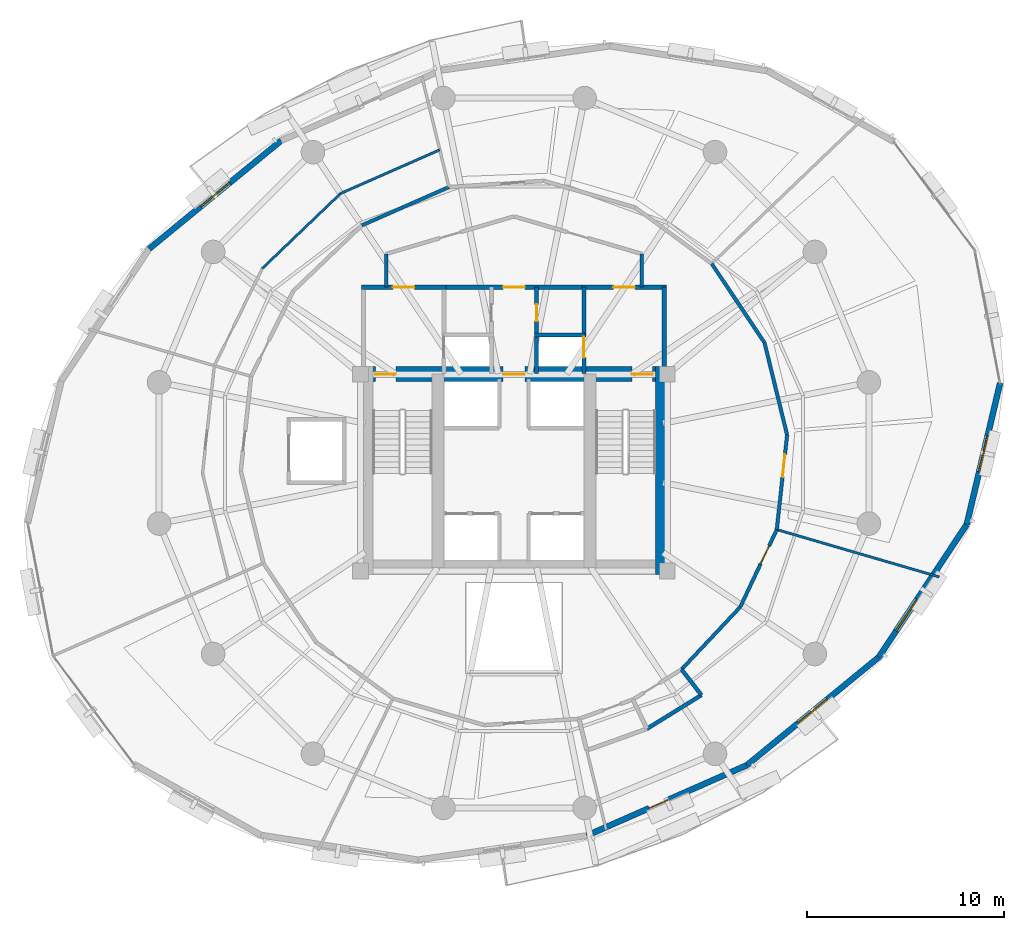
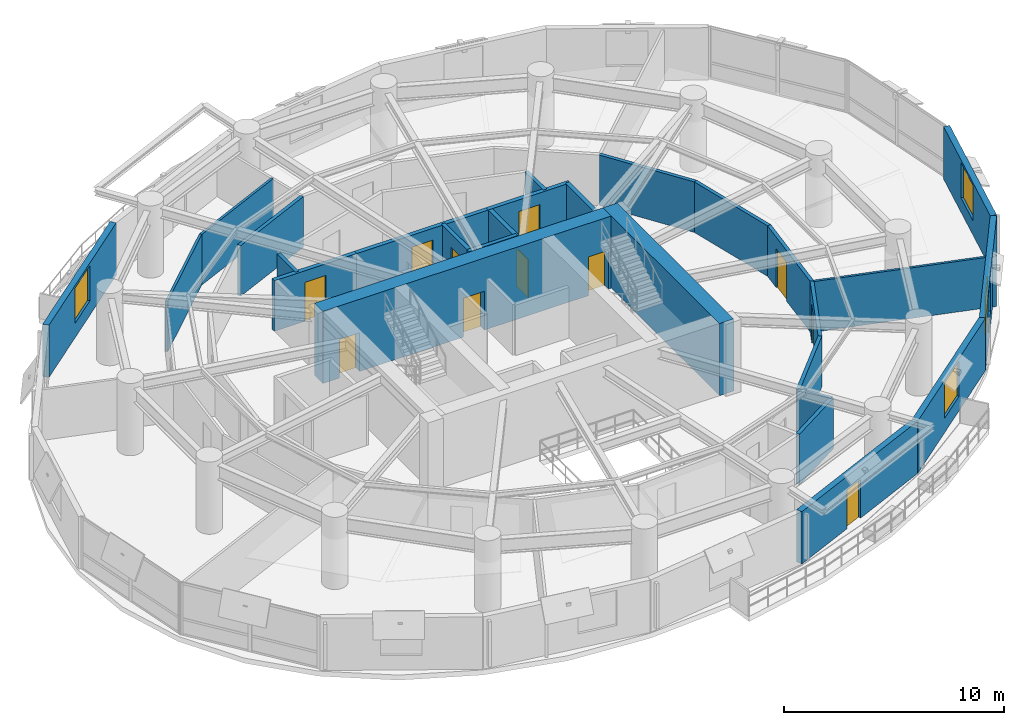
# One storey, part 11 of 14: 27 walls, 11 doors, 4 windows, 15 openings.
"""IFC4 building model written with IfcOpenShell, lengths in metres."""

from ifc_helpers import new_model, si_unit, direction, frame, frame_2d, origin, place, context, subcontext, project, spatial, rectangle, extrude, material, layer, layer_set, type_object, element, fill, save


model = new_model("IFC4")

# Units and contexts
model_context = context("Model", 3, precision=1e-05, world=origin(), true_north=direction((0.0, 1.0)))
body_context = subcontext(model_context, "Body", "Model", "MODEL_VIEW")
ifc_project = project(units=[si_unit("LENGTHUNIT", "METRE"), si_unit("AREAUNIT", "SQUARE_METRE"), si_unit("VOLUMEUNIT", "CUBIC_METRE"), si_unit("PLANEANGLEUNIT", "RADIAN"), si_unit("MASSUNIT", "GRAM", prefix="KILO"), si_unit("THERMODYNAMICTEMPERATUREUNIT", "KELVIN"), si_unit("POWERUNIT", "WATT")], contexts=[model_context])

# Site, building, storey
site_placement = place(None, origin())
site = spatial("IfcSite", under=ifc_project, at=site_placement, CompositionType="ELEMENT")
building_placement = place(site_placement, origin())
building = spatial("IfcBuilding", under=site, at=building_placement, Name="Ocrelia Relay Tower", CompositionType="ELEMENT")
storey_placement = place(building_placement, frame((0.0, 0.0, 133.800048828125)))
storey = spatial("IfcBuildingStorey", under=building, at=storey_placement, Name="L31", CompositionType="ELEMENT", Elevation=133.800048828125)

# Wall, openings, doors
ifc_material_1 = material(Name="Concrete C60/75", Category="concrete")
ifc_layer_1 = layer(ifc_material_1, 0.75, Name="Concrete C60/75")
ifc_layer_set_1 = layer_set([ifc_layer_1], Name="Concrete C60/75")
wall_type_1 = type_object("IfcWallType", Name="CW-CORE-750", PredefinedType="SHEAR", material=ifc_layer_set_1)
wall_1_placement = place(storey_placement, frame((26.072021484375, 30.012939453125, 0.0), z_axis=(0.0, 0.0, 1.0), x_axis=(1.0, 0.0, 0.0)))
wall_1 = element("IfcWall", 1, at=wall_1_placement, inside=storey, type_object=wall_type_1, Name="L31 Core Shear Wall N", PredefinedType="SHEAR", context=body_context, shape_type="SweptSolid", body=[
    extrude(rectangle(XDim=15.865966796875, YDim=0.75, at=frame_2d((7.93310546875, 0.0))), origin(), (0.0, 0.0, 1.0), 4.0),
])
opening_1_placement = place(wall_1_placement, frame((0.8779296875, 0.0, 0.0)))
opening_1 = element("IfcOpeningElement", 2, at=opening_1_placement, cuts=wall_1, Name="Opening D-FD90", PredefinedType="OPENING", context=body_context, shape_type="SweptSolid", body=[
    extrude(rectangle(XDim=1.050048828125, YDim=2.14990234375, at=frame_2d((0.52490234375, 1.074951171875))), frame((0.0, 0.385009765625, 0.0), z_axis=(0.0, -1.0, 0.0), x_axis=(1.0, 0.0, 0.0)), (0.0, 0.0, 1.0), 0.77001953125),
])
opening_2_placement = place(wall_1_placement, frame((13.927978515625, 0.0, 0.0)))
opening_2 = element("IfcOpeningElement", 3, at=opening_2_placement, cuts=wall_1, Name="Opening D-FD90", PredefinedType="OPENING", context=body_context, shape_type="SweptSolid", body=[
    extrude(rectangle(XDim=1.050048828125, YDim=2.14990234375, at=frame_2d((0.52490234375, 1.074951171875))), frame((0.0, 0.385009765625, 0.0), z_axis=(0.0, -1.0, 0.0), x_axis=(1.0, 0.0, 0.0)), (0.0, 0.0, 1.0), 0.77001953125),
])
opening_3_placement = place(wall_1_placement, frame((7.3779296875, 0.0, 0.0)))
opening_3 = element("IfcOpeningElement", 4, at=opening_3_placement, cuts=wall_1, Name="Opening D-FD60", PredefinedType="OPENING", context=body_context, shape_type="SweptSolid", body=[
    extrude(rectangle(XDim=1.10009765625, YDim=2.14990234375, at=frame_2d((0.550048828125, 1.074951171875))), frame((0.0, 0.385009765625, 0.0), z_axis=(0.0, -1.0, 0.0), x_axis=(1.0, 0.0, 0.0)), (0.0, 0.0, 1.0), 0.77001953125),
])
ifc_material_2 = material(Name="Timber-core 60-min acoustic fire door", Category="wood")
door_type_1 = type_object("IfcDoorType", Name="DR-LOBBY-FD60-1100", OperationType="NOTDEFINED", PredefinedType="DOOR", material=ifc_material_2)
door_1_placement = place(opening_3_placement, origin())
door_1 = element("IfcDoor", 5, at=door_1_placement, inside=storey, type_object=door_type_1, Name="L31 Core Lift Lobby North Fire Door", OperationType="SINGLE_SWING_LEFT", OverallHeight=2.14990234375, OverallWidth=1.10009765625, PredefinedType="DOOR", context=body_context, shape_type="SweptSolid", body=[
    extrude(rectangle(XDim=1.10009765625, YDim=2.14990234375, at=frame_2d((0.550048828125, 1.074951171875))), frame((0.0, 0.02490234375, 0.0), z_axis=(0.0, -1.0, 0.0), x_axis=(1.0, 0.0, 0.0)), (0.0, 0.0, 1.0), 0.050048828125),
])
fill(opening_3, door_1)
ifc_material_3 = material(Name="Steel S355 90-min fire door", Category="steel")
door_type_2 = type_object("IfcDoorType", Name="DR-STAIR-FD90-1050", OperationType="NOTDEFINED", PredefinedType="DOOR", material=ifc_material_3)
door_2_placement = place(opening_1_placement, origin())
door_2 = element("IfcDoor", 6, at=door_2_placement, inside=storey, type_object=door_type_2, Name="L31 Stair ST1 Fire Door", OperationType="SINGLE_SWING_LEFT", OverallHeight=2.14990234375, OverallWidth=1.050048828125, PredefinedType="DOOR", context=body_context, shape_type="SweptSolid", body=[
    extrude(rectangle(XDim=1.050048828125, YDim=2.14990234375, at=frame_2d((0.52490234375, 1.074951171875))), frame((0.0, 0.02490234375, 0.0), z_axis=(0.0, -1.0, 0.0), x_axis=(1.0, 0.0, 0.0)), (0.0, 0.0, 1.0), 0.050048828125),
])
fill(opening_1, door_2)
door_3_placement = place(opening_2_placement, origin())
door_3 = element("IfcDoor", 7, at=door_3_placement, inside=storey, type_object=door_type_2, Name="L31 Stair ST2 Fire Door", OperationType="SINGLE_SWING_RIGHT", OverallHeight=2.14990234375, OverallWidth=1.050048828125, PredefinedType="DOOR", context=body_context, shape_type="SweptSolid", body=[
    extrude(rectangle(XDim=1.050048828125, YDim=2.14990234375, at=frame_2d((0.52490234375, 1.074951171875))), frame((0.0, 0.02490234375, 0.0), z_axis=(0.0, -1.0, 0.0), x_axis=(1.0, 0.0, 0.0)), (0.0, 0.0, 1.0), 0.050048828125),
])
fill(opening_2, door_3)

# Walls
wall_2_placement = place(storey_placement, frame((41.56298828125, 19.81201171875, 0.0), z_axis=(0.0, 0.0, 1.0), x_axis=(0.0, 1.0, 0.0)))
element("IfcWall", 8, at=wall_2_placement, inside=storey, type_object=wall_type_1, Name="L31 Core Shear Wall E", PredefinedType="SHEAR", context=body_context, shape_type="SweptSolid", body=[
    extrude(rectangle(XDim=10.575927734375, YDim=0.75, at=frame_2d((5.2880859375, 0.0))), origin(), (0.0, 0.0, 1.0), 4.0),
])
ifc_material_4 = material(Name="Gypsum Fireboard Partition EI60", Category="gypsum")
ifc_layer_2 = layer(ifc_material_4, 0.179931640625, Name="Gypsum Fireboard Partition EI60")
ifc_layer_set_2 = layer_set([ifc_layer_2], Name="Gypsum Fireboard Partition EI60")
wall_type_2 = type_object("IfcWallType", Name="W-CORR-EI60-180", PredefinedType="PARTITIONING", material=ifc_layer_set_2)
for number, where, z_axis, x_axis, name in (
    (9, (27.5, 34.429931640625, 0.0), (0.0, 0.0, 1.0), (0.0, 1.0, 0.0), "L31 Smoke Lobby West Return"),
    (10, (40.5, 36.122802734375, 0.0), (0.0, 0.0, 1.0), (0.0, -1.0, 0.0), "L31 Smoke Lobby East Return"),
):
    element("IfcWall", number, at=place(storey_placement, frame(where, z_axis=z_axis, x_axis=x_axis)), inside=storey, type_object=wall_type_2, Name=name, PredefinedType="PARTITIONING", context=body_context, shape_type="SweptSolid", body=[
        extrude(rectangle(XDim=1.69287109375, YDim=0.179931640625, at=frame_2d((0.846435546875, 0.0))), origin(), (0.0, 0.0, 1.0), 2.800048828125),
    ])
wall_3_placement = place(storey_placement, frame((42.522216796875, 14.99365234375, 0.0), z_axis=(0.0, 0.0, 1.0), x_axis=(0.68516532602, 0.728387586399, 0.0)))
element("IfcWall", 11, at=wall_3_placement, inside=storey, type_object=wall_type_2, Name="L31 Fiber Patch Store Corridor Partition 1", PredefinedType="PARTITIONING", context=body_context, shape_type="SweptSolid", body=[
    extrude(rectangle(XDim=4.35498046875, YDim=0.179931640625, at=frame_2d((2.177490234375, 0.0))), origin(), (0.0, 0.0, 1.0), 2.800048828125),
])

# Wall, opening, door
wall_4_placement = place(storey_placement, frame((45.506103515625, 18.165771484375, 0.0), z_axis=(0.0, 0.0, 1.0), x_axis=(0.426601371768, 0.904439754547, 0.0)))
wall_4 = element("IfcWall", 12, at=wall_4_placement, inside=storey, type_object=wall_type_2, Name="L31 Fiber Patch Store Corridor Partition 2", PredefinedType="PARTITIONING", context=body_context, shape_type="SweptSolid", body=[
    extrude(rectangle(XDim=4.355224609375, YDim=0.179931640625, at=frame_2d((2.177734375, 0.0))), origin(), (0.0, 0.0, 1.0), 2.800048828125),
])
opening_4_placement = place(wall_4_placement, frame((2.44140625, 0.0, 0.0)))
opening_4 = element("IfcOpeningElement", 13, at=opening_4_placement, cuts=wall_4, Name="Opening D-RM100", PredefinedType="OPENING", context=body_context, shape_type="SweptSolid", body=[
    extrude(rectangle(XDim=1.0, YDim=2.14990234375, at=frame_2d((0.5, 1.074951171875))), frame((0.0, 0.10009765625, 0.0), z_axis=(0.0, -1.0, 0.0), x_axis=(1.0, 0.0, 0.0)), (0.0, 0.0, 1.0), 0.199951171875),
])
ifc_material_5 = material(Name="Acoustic oak veneer fire door", Category="wood")
door_type_3 = type_object("IfcDoorType", Name="DR-ROOM-FD60-1000", OperationType="NOTDEFINED", PredefinedType="DOOR", material=ifc_material_5)
door_4_placement = place(opening_4_placement, origin())
door_4 = element("IfcDoor", 14, at=door_4_placement, inside=storey, type_object=door_type_3, Name="L31 Fiber Patch Store Entrance Door", OperationType="SINGLE_SWING_LEFT", OverallHeight=2.14990234375, OverallWidth=1.0, PredefinedType="DOOR", context=body_context, shape_type="SweptSolid", body=[
    extrude(rectangle(XDim=1.0, YDim=2.14990234375, at=frame_2d((0.5, 1.074951171875))), frame((0.0, 0.02490234375, 0.0), z_axis=(0.0, -1.0, 0.0), x_axis=(1.0, 0.0, 0.0)), (0.0, 0.0, 1.0), 0.050048828125),
])
fill(opening_4, door_4)

wall_5_placement = place(storey_placement, frame((47.364013671875, 22.104736328125, 0.0), z_axis=(0.0, 0.0, 1.0), x_axis=(0.108829517581, 0.994060428799, 0.0)))
wall_5 = element("IfcWall", 15, at=wall_5_placement, inside=storey, type_object=wall_type_2, Name="L31 Optical Switching Hall A Corridor Partition 1", PredefinedType="PARTITIONING", context=body_context, shape_type="SweptSolid", body=[
    extrude(rectangle(XDim=4.83447265625, YDim=0.179931640625, at=frame_2d((2.417236328125, 0.0))), origin(), (0.0, 0.0, 1.0), 2.800048828125),
])
opening_5_placement = place(wall_5_placement, frame((2.688232421875, 0.0, 0.0)))
opening_5 = element("IfcOpeningElement", 16, at=opening_5_placement, cuts=wall_5, Name="Opening D-RM115", PredefinedType="OPENING", context=body_context, shape_type="SweptSolid", body=[
    extrude(rectangle(XDim=1.14990234375, YDim=2.14990234375, at=frame_2d((0.574951171875, 1.074951171875))), frame((0.0, 0.10009765625, 0.0), z_axis=(0.0, -1.0, 0.0), x_axis=(1.0, 0.0, 0.0)), (0.0, 0.0, 1.0), 0.199951171875),
])
ifc_material_6 = material(Name="Wide acoustic oak veneer fire door", Category="wood")
door_type_4 = type_object("IfcDoorType", Name="DR-ROOM-1150", OperationType="NOTDEFINED", PredefinedType="DOOR", material=ifc_material_6)
door_5_placement = place(opening_5_placement, origin())
door_5 = element("IfcDoor", 17, at=door_5_placement, inside=storey, type_object=door_type_4, Name="L31 Optical Switching Hall A Entrance Door", OperationType="SINGLE_SWING_RIGHT", OverallHeight=2.14990234375, OverallWidth=1.14990234375, PredefinedType="DOOR", context=body_context, shape_type="SweptSolid", body=[
    extrude(rectangle(XDim=1.14990234375, YDim=2.14990234375, at=frame_2d((0.574951171875, 1.074951171875))), frame((0.0, 0.02490234375, 0.0), z_axis=(0.0, -1.0, 0.0), x_axis=(1.0, 0.0, 0.0)), (0.0, 0.0, 1.0), 0.050048828125),
])
fill(opening_5, door_5)

# Walls
wall_6_placement = place(storey_placement, frame((47.89013671875, 26.910400390625, 0.0), z_axis=(0.0, 0.0, 1.0), x_axis=(-0.237660645322, 0.971348247368, 0.0)))
element("IfcWall", 18, at=wall_6_placement, inside=storey, type_object=wall_type_2, Name="L31 Optical Switching Hall A Corridor Partition 2", PredefinedType="PARTITIONING", context=body_context, shape_type="SweptSolid", body=[
    extrude(rectangle(XDim=4.834228515625, YDim=0.179931640625, at=frame_2d((2.4169921875, 0.0))), origin(), (0.0, 0.0, 1.0), 2.800048828125),
])
wall_7_placement = place(storey_placement, frame((46.7412109375, 31.606201171875, 0.0), z_axis=(0.0, 0.0, 1.0), x_axis=(-0.555550637261, 0.831482705436, 0.0)))
element("IfcWall", 19, at=wall_7_placement, inside=storey, type_object=wall_type_2, Name="L31 Optical Switching Hall A Corridor Partition 3", PredefinedType="PARTITIONING", context=body_context, shape_type="SweptSolid", body=[
    extrude(rectangle(XDim=4.83447265625, YDim=0.179931640625, at=frame_2d((2.417236328125, 0.0))), origin(), (0.0, 0.0, 1.0), 2.800048828125),
])
wall_8_placement = place(storey_placement, frame((30.69140625, 39.52099609375, 0.0), z_axis=(0.0, 0.0, 1.0), x_axis=(-0.915325457772, -0.402714919459, 0.0)))
element("IfcWall", 20, at=wall_8_placement, inside=storey, type_object=wall_type_2, Name="L31 Equipment Staging Store Corridor Partition 1", PredefinedType="PARTITIONING", context=body_context, shape_type="SweptSolid", body=[
    extrude(rectangle(XDim=4.834228515625, YDim=0.179931640625, at=frame_2d((2.4169921875, 0.0))), origin(), (0.0, 0.0, 1.0), 2.800048828125),
])

# Wall, opening, window
ifc_material_7 = material(Name="Precast concrete C40/50 with oxide terracotta", Category="masonry")
ifc_layer_3 = layer(ifc_material_7, 0.300048828125, Name="Precast concrete C40/50 with oxide terracotta")
ifc_layer_set_3 = layer_set([ifc_layer_3], Name="Precast concrete C40/50 with oxide terracotta")
wall_type_3 = type_object("IfcWallType", Name="W-EXT-TERR-300", PredefinedType="SOLIDWALL", material=ifc_layer_set_3)
wall_9_placement = place(storey_placement, frame((22.1572265625, 41.877197265625, 0.0), z_axis=(0.0, 0.0, 1.0), x_axis=(-0.773602244152, -0.633671498367, 0.0)))
wall_9 = element("IfcWall", 21, at=wall_9_placement, inside=storey, type_object=wall_type_3, Name="L31 Oxide Terracotta Facade Wall 06", PredefinedType="SOLIDWALL", context=body_context, shape_type="SweptSolid", body=[
    extrude(rectangle(XDim=8.673095703125, YDim=0.300048828125, at=frame_2d((4.33642578125, 0.0))), origin(), (0.0, 0.0, 1.0), 2.89990234375),
])
opening_6_placement = place(wall_9_placement, frame((3.385986328125, 0.0, 0.800048828125)))
opening_6 = element("IfcOpeningElement", 22, at=opening_6_placement, cuts=wall_9, Name="Opening W-06", PredefinedType="OPENING", context=body_context, shape_type="SweptSolid", body=[
    extrude(rectangle(XDim=1.89990234375, YDim=1.949951171875, at=frame_2d((0.949951171875, 0.97509765625))), frame((0.0, 0.16015625, 0.0), z_axis=(0.0, -1.0, 0.0), x_axis=(1.0, 0.0, 0.0)), (0.0, 0.0, 1.0), 0.320068359375),
])
ifc_material_8 = material(Name="Clear double-glazed low-E glass", Category="glass")
window_type = type_object("IfcWindowType", Name="WIN-Z2-1900x2100", PartitioningType="DOUBLE_PANEL_VERTICAL", PredefinedType="WINDOW", material=ifc_material_8)
window_1_placement = place(opening_6_placement, origin())
window_1 = element("IfcWindow", 23, at=window_1_placement, inside=storey, type_object=window_type, Name="L31 Facade Module Window 06", OverallHeight=1.949951171875, OverallWidth=1.89990234375, PartitioningType="SINGLE_PANEL", PredefinedType="WINDOW", context=body_context, shape_type="SweptSolid", body=[
    extrude(rectangle(XDim=1.89990234375, YDim=1.949951171875, at=frame_2d((0.949951171875, 0.97509765625))), frame((0.0, 0.030029296875, 0.0), z_axis=(0.0, -1.0, 0.0), x_axis=(1.0, 0.0, 0.0)), (0.0, 0.0, 1.0), 0.06005859375),
])
fill(opening_6, window_1)

# Wall, opening, door
wall_10_placement = place(storey_placement, frame((37.705078125, 6.5419921875, 0.0), z_axis=(0.0, 0.0, 1.0), x_axis=(0.915305719245, 0.402759779916, 0.0)))
wall_10 = element("IfcWall", 24, at=wall_10_placement, inside=storey, type_object=wall_type_3, Name="L31 Oxide Terracotta Facade Wall 14", PredefinedType="SOLIDWALL", context=body_context, shape_type="SweptSolid", body=[
    extrude(rectangle(XDim=8.890625, YDim=0.300048828125, at=frame_2d((4.4453125, 0.0))), origin(), (0.0, 0.0, 1.0), 2.89990234375),
])
opening_7_placement = place(wall_10_placement, frame((3.469970703125, 0.0, 0.0)))
opening_7 = element("IfcOpeningElement", 25, at=opening_7_placement, cuts=wall_10, Name="Opening DB-105", PredefinedType="OPENING", context=body_context, shape_type="SweptSolid", body=[
    extrude(rectangle(XDim=1.050048828125, YDim=2.14990234375, at=frame_2d((0.52490234375, 1.074951171875))), frame((0.0, 0.16015625, 0.0), z_axis=(0.0, -1.0, 0.0), x_axis=(1.0, 0.0, 0.0)), (0.0, 0.0, 1.0), 0.320068359375),
])
ifc_material_9 = material(Name="Thermally broken aluminium and clear glass", Category="aluminium")
door_type_5 = type_object("IfcDoorType", Name="DR-BALC-1050", OperationType="NOTDEFINED", PredefinedType="DOOR", material=ifc_material_9)
door_6_placement = place(opening_7_placement, origin())
door_6 = element("IfcDoor", 26, at=door_6_placement, inside=storey, type_object=door_type_5, Name="L31 Planted Loggia Balcony Door B2", OperationType="SINGLE_SWING_LEFT", OverallHeight=2.14990234375, OverallWidth=1.050048828125, PredefinedType="DOOR", context=body_context, shape_type="SweptSolid", body=[
    extrude(rectangle(XDim=1.050048828125, YDim=2.14990234375, at=frame_2d((0.52490234375, 1.074951171875))), frame((0.0, 0.02490234375, 0.0), z_axis=(0.0, -1.0, 0.0), x_axis=(1.0, 0.0, 0.0)), (0.0, 0.0, 1.0), 0.050048828125),
])
fill(opening_7, door_6)

# Wall, opening, window
wall_11_placement = place(storey_placement, frame((45.8427734375, 10.122802734375, 0.0), z_axis=(0.0, 0.0, 1.0), x_axis=(0.773602244152, 0.633671498367, 0.0)))
wall_11 = element("IfcWall", 27, at=wall_11_placement, inside=storey, type_object=wall_type_3, Name="L31 Oxide Terracotta Facade Wall 15", PredefinedType="SOLIDWALL", context=body_context, shape_type="SweptSolid", body=[
    extrude(rectangle(XDim=8.673095703125, YDim=0.300048828125, at=frame_2d((4.33642578125, 0.0))), origin(), (0.0, 0.0, 1.0), 2.89990234375),
])
opening_8_placement = place(wall_11_placement, frame((3.385986328125, 0.0, 0.800048828125)))
opening_8 = element("IfcOpeningElement", 28, at=opening_8_placement, cuts=wall_11, Name="Opening W-06", PredefinedType="OPENING", context=body_context, shape_type="SweptSolid", body=[
    extrude(rectangle(XDim=1.89990234375, YDim=1.949951171875, at=frame_2d((0.949951171875, 0.97509765625))), frame((0.0, 0.16015625, 0.0), z_axis=(0.0, -1.0, 0.0), x_axis=(1.0, 0.0, 0.0)), (0.0, 0.0, 1.0), 0.320068359375),
])
window_2_placement = place(opening_8_placement, origin())
window_2 = element("IfcWindow", 29, at=window_2_placement, inside=storey, type_object=window_type, Name="L31 Facade Module Window 15", OverallHeight=1.949951171875, OverallWidth=1.89990234375, PartitioningType="SINGLE_PANEL", PredefinedType="WINDOW", context=body_context, shape_type="SweptSolid", body=[
    extrude(rectangle(XDim=1.89990234375, YDim=1.949951171875, at=frame_2d((0.949951171875, 0.97509765625))), frame((0.0, 0.030029296875, 0.0), z_axis=(0.0, -1.0, 0.0), x_axis=(1.0, 0.0, 0.0)), (0.0, 0.0, 1.0), 0.06005859375),
])
fill(opening_8, window_2)

wall_12_placement = place(storey_placement, frame((52.55224609375, 15.61865234375, 0.0), z_axis=(0.0, 0.0, 1.0), x_axis=(0.552401321334, 0.833578298775, 0.0)))
wall_12 = element("IfcWall", 30, at=wall_12_placement, inside=storey, type_object=wall_type_3, Name="L31 Oxide Terracotta Facade Wall 16", PredefinedType="SOLIDWALL", context=body_context, shape_type="SweptSolid", body=[
    extrude(rectangle(XDim=8.094970703125, YDim=0.300048828125, at=frame_2d((4.04736328125, 0.0))), origin(), (0.0, 0.0, 1.0), 2.89990234375),
])
opening_9_placement = place(wall_12_placement, frame((1.614990234375, 0.0, 0.800048828125)))
opening_9 = element("IfcOpeningElement", 31, at=opening_9_placement, cuts=wall_12, Name="Opening W-06", PredefinedType="OPENING", context=body_context, shape_type="SweptSolid", body=[
    extrude(rectangle(XDim=1.89990234375, YDim=1.949951171875, at=frame_2d((0.949951171875, 0.97509765625))), frame((0.0, 0.16015625, 0.0), z_axis=(0.0, -1.0, 0.0), x_axis=(1.0, 0.0, 0.0)), (0.0, 0.0, 1.0), 0.320068359375),
])
window_3_placement = place(opening_9_placement, origin())
window_3 = element("IfcWindow", 32, at=window_3_placement, inside=storey, type_object=window_type, Name="L31 Facade Module Window 16", OverallHeight=1.949951171875, OverallWidth=1.89990234375, PartitioningType="SINGLE_PANEL", PredefinedType="WINDOW", context=body_context, shape_type="SweptSolid", body=[
    extrude(rectangle(XDim=1.89990234375, YDim=1.949951171875, at=frame_2d((0.949951171875, 0.97509765625))), frame((0.0, 0.030029296875, 0.0), z_axis=(0.0, -1.0, 0.0), x_axis=(1.0, 0.0, 0.0)), (0.0, 0.0, 1.0), 0.06005859375),
])
fill(opening_9, window_3)

wall_13_placement = place(storey_placement, frame((57.02392578125, 22.366455078125, 0.0), z_axis=(0.0, 0.0, 1.0), x_axis=(0.229551679133, 0.973296474157, 0.0)))
wall_13 = element("IfcWall", 33, at=wall_13_placement, inside=storey, type_object=wall_type_3, Name="L31 Oxide Terracotta Facade Wall 17", PredefinedType="SOLIDWALL", context=body_context, shape_type="SweptSolid", body=[
    extrude(rectangle(XDim=7.38330078125, YDim=0.300048828125, at=frame_2d((3.691650390625, 0.0))), origin(), (0.0, 0.0, 1.0), 2.89990234375),
])
opening_10_placement = place(wall_13_placement, frame((2.741943359375, 0.0, 0.800048828125)))
opening_10 = element("IfcOpeningElement", 34, at=opening_10_placement, cuts=wall_13, Name="Opening W-06", PredefinedType="OPENING", context=body_context, shape_type="SweptSolid", body=[
    extrude(rectangle(XDim=1.89990234375, YDim=1.949951171875, at=frame_2d((0.949951171875, 0.97509765625))), frame((0.0, 0.16015625, 0.0), z_axis=(0.0, -1.0, 0.0), x_axis=(1.0, 0.0, 0.0)), (0.0, 0.0, 1.0), 0.320068359375),
])
window_4_placement = place(opening_10_placement, origin())
window_4 = element("IfcWindow", 35, at=window_4_placement, inside=storey, type_object=window_type, Name="L31 Facade Module Window 17", OverallHeight=1.949951171875, OverallWidth=1.89990234375, PartitioningType="SINGLE_PANEL", PredefinedType="WINDOW", context=body_context, shape_type="SweptSolid", body=[
    extrude(rectangle(XDim=1.89990234375, YDim=1.949951171875, at=frame_2d((0.949951171875, 0.97509765625))), frame((0.0, 0.030029296875, 0.0), z_axis=(0.0, -1.0, 0.0), x_axis=(1.0, 0.0, 0.0)), (0.0, 0.0, 1.0), 0.06005859375),
])
fill(opening_10, window_4)

# Wall, opening, door
ifc_material_10 = material(Name="Concrete C50/60", Category="concrete")
ifc_layer_4 = layer(ifc_material_10, 0.219970703125, Name="Concrete C50/60")
ifc_layer_set_4 = layer_set([ifc_layer_4], Name="Concrete C50/60")
wall_type_4 = type_object("IfcWallType", Name="W-FFL-EI120-220", PredefinedType="SOLIDWALL", material=ifc_layer_set_4)
wall_14_placement = place(storey_placement, frame((26.239990234375, 34.429931640625, 0.0), z_axis=(0.0, 0.0, 1.0), x_axis=(1.0, 0.0, 0.0)))
wall_14 = element("IfcWall", 36, at=wall_14_placement, inside=storey, type_object=wall_type_4, Name="L31 W Fire Service Lift Lobby North Wall", PredefinedType="SOLIDWALL", context=body_context, shape_type="SweptSolid", body=[
    extrude(rectangle(XDim=4.31005859375, YDim=0.219970703125, at=frame_2d((2.155029296875, 0.0))), origin(), (0.0, 0.0, 1.0), 2.800048828125),
])
opening_11_placement = place(wall_14_placement, frame((1.60009765625, 0.0, 0.0)))
opening_11 = element("IfcOpeningElement", 37, at=opening_11_placement, cuts=wall_14, Name="Opening D-FD60", PredefinedType="OPENING", context=body_context, shape_type="SweptSolid", body=[
    extrude(rectangle(XDim=1.10009765625, YDim=2.14990234375, at=frame_2d((0.550048828125, 1.074951171875))), frame((0.0, 0.1201171875, 0.0), z_axis=(0.0, -1.0, 0.0), x_axis=(1.0, 0.0, 0.0)), (0.0, 0.0, 1.0), 0.239990234375),
])
door_7_placement = place(opening_11_placement, origin())
door_7 = element("IfcDoor", 38, at=door_7_placement, inside=storey, type_object=door_type_1, Name="L31 W Fire Service Lift Lobby Exit Door", OperationType="SINGLE_SWING_RIGHT", OverallHeight=2.14990234375, OverallWidth=1.10009765625, PredefinedType="DOOR", context=body_context, shape_type="SweptSolid", body=[
    extrude(rectangle(XDim=1.10009765625, YDim=2.14990234375, at=frame_2d((0.550048828125, 1.074951171875))), frame((0.0, 0.02490234375, 0.0), z_axis=(0.0, -1.0, 0.0), x_axis=(1.0, 0.0, 0.0)), (0.0, 0.0, 1.0), 0.050048828125),
])
fill(opening_11, door_7)

wall_15_placement = place(storey_placement, frame((37.56005859375, 30.050048828125, 0.0), z_axis=(0.0, 0.0, 1.0), x_axis=(0.0, 1.0, 0.0)))
wall_15 = element("IfcWall", 39, at=wall_15_placement, inside=storey, type_object=wall_type_4, Name="L31 E Fire Service Lift Lobby West Wall", PredefinedType="SOLIDWALL", context=body_context, shape_type="SweptSolid", body=[
    extrude(rectangle(XDim=4.3798828125, YDim=0.219970703125, at=frame_2d((2.18994140625, 0.0))), origin(), (0.0, 0.0, 1.0), 2.800048828125),
])
opening_12_placement = place(wall_15_placement, frame((0.800048828125, 0.0, 0.0)))
opening_12 = element("IfcOpeningElement", 40, at=opening_12_placement, cuts=wall_15, Name="Opening LD-FFL2", PredefinedType="OPENING", context=body_context, shape_type="SweptSolid", body=[
    extrude(rectangle(XDim=1.050048828125, YDim=2.10009765625, at=frame_2d((0.52490234375, 1.050048828125))), frame((0.0, 0.1201171875, 0.0), z_axis=(0.0, -1.0, 0.0), x_axis=(1.0, 0.0, 0.0)), (0.0, 0.0, 1.0), 0.239990234375),
])
ifc_material_11 = material(Name="Brushed stainless steel S355 lift landing door", Category="steel")
door_type_6 = type_object("IfcDoorType", Name="DR-LIFT-LAND-1050", OperationType="DOUBLE_DOOR_SLIDING", PredefinedType="USERDEFINED", material=ifc_material_11)
door_8_placement = place(opening_12_placement, origin())
door_8 = element("IfcDoor", 41, at=door_8_placement, inside=storey, type_object=door_type_6, Name="L31 Firefighting Lift FFL2 Sliding Landing Door", ObjectType="LANDING DOOR", OperationType="DOUBLE_DOOR_SLIDING", OverallHeight=2.10009765625, OverallWidth=1.050048828125, PredefinedType="USERDEFINED", context=body_context, shape_type="SweptSolid", body=[
    extrude(rectangle(XDim=1.050048828125, YDim=2.10009765625, at=frame_2d((0.52490234375, 1.050048828125))), frame((0.0, 0.02490234375, 0.0), z_axis=(0.0, -1.0, 0.0), x_axis=(1.0, 0.0, 0.0)), (0.0, 0.0, 1.0), 0.050048828125),
])
fill(opening_12, door_8)

# Wall
wall_16_placement = place(storey_placement, frame((41.64990234375, 30.050048828125, 0.0), z_axis=(0.0, 0.0, 1.0), x_axis=(0.0, 1.0, 0.0)))
element("IfcWall", 42, at=wall_16_placement, inside=storey, type_object=wall_type_4, Name="L31 E Fire Service Lift Lobby East Wall", PredefinedType="SOLIDWALL", context=body_context, shape_type="SweptSolid", body=[
    extrude(rectangle(XDim=4.3798828125, YDim=0.219970703125, at=frame_2d((2.18994140625, 0.0))), origin(), (0.0, 0.0, 1.0), 2.800048828125),
])

# Wall, opening, door
wall_17_placement = place(storey_placement, frame((37.449951171875, 34.429931640625, 0.0), z_axis=(0.0, 0.0, 1.0), x_axis=(1.0, 0.0, 0.0)))
wall_17 = element("IfcWall", 43, at=wall_17_placement, inside=storey, type_object=wall_type_4, Name="L31 E Fire Service Lift Lobby North Wall", PredefinedType="SOLIDWALL", context=body_context, shape_type="SweptSolid", body=[
    extrude(rectangle(XDim=4.31005859375, YDim=0.219970703125, at=frame_2d((2.155029296875, 0.0))), origin(), (0.0, 0.0, 1.0), 2.800048828125),
])
opening_13_placement = place(wall_17_placement, frame((1.60009765625, 0.0, 0.0)))
opening_13 = element("IfcOpeningElement", 44, at=opening_13_placement, cuts=wall_17, Name="Opening D-FD60", PredefinedType="OPENING", context=body_context, shape_type="SweptSolid", body=[
    extrude(rectangle(XDim=1.10009765625, YDim=2.14990234375, at=frame_2d((0.550048828125, 1.074951171875))), frame((0.0, 0.1201171875, 0.0), z_axis=(0.0, -1.0, 0.0), x_axis=(1.0, 0.0, 0.0)), (0.0, 0.0, 1.0), 0.239990234375),
])
door_9_placement = place(opening_13_placement, origin())
door_9 = element("IfcDoor", 45, at=door_9_placement, inside=storey, type_object=door_type_1, Name="L31 E Fire Service Lift Lobby Exit Door", OperationType="SINGLE_SWING_RIGHT", OverallHeight=2.14990234375, OverallWidth=1.10009765625, PredefinedType="DOOR", context=body_context, shape_type="SweptSolid", body=[
    extrude(rectangle(XDim=1.10009765625, YDim=2.14990234375, at=frame_2d((0.550048828125, 1.074951171875))), frame((0.0, 0.02490234375, 0.0), z_axis=(0.0, -1.0, 0.0), x_axis=(1.0, 0.0, 0.0)), (0.0, 0.0, 1.0), 0.050048828125),
])
fill(opening_13, door_9)

wall_18_placement = place(storey_placement, frame((30.43994140625, 34.429931640625, 0.0), z_axis=(0.0, 0.0, 1.0), x_axis=(1.0, 0.0, 0.0)))
wall_18 = element("IfcWall", 46, at=wall_18_placement, inside=storey, type_object=wall_type_4, Name="L31 North Core Vestibule Wall", PredefinedType="SOLIDWALL", context=body_context, shape_type="SweptSolid", body=[
    extrude(rectangle(XDim=7.1201171875, YDim=0.219970703125, at=frame_2d((3.56005859375, 0.0))), origin(), (0.0, 0.0, 1.0), 2.800048828125),
])
opening_14_placement = place(wall_18_placement, frame((3.010009765625, 0.0, 0.0)))
opening_14 = element("IfcOpeningElement", 47, at=opening_14_placement, cuts=wall_18, Name="Opening D-FD60", PredefinedType="OPENING", context=body_context, shape_type="SweptSolid", body=[
    extrude(rectangle(XDim=1.10009765625, YDim=2.14990234375, at=frame_2d((0.550048828125, 1.074951171875))), frame((0.0, 0.1201171875, 0.0), z_axis=(0.0, -1.0, 0.0), x_axis=(1.0, 0.0, 0.0)), (0.0, 0.0, 1.0), 0.239990234375),
])
door_10_placement = place(opening_14_placement, origin())
door_10 = element("IfcDoor", 48, at=door_10_placement, inside=storey, type_object=door_type_1, Name="L31 North Core Vestibule Corridor Door", OperationType="SINGLE_SWING_RIGHT", OverallHeight=2.14990234375, OverallWidth=1.10009765625, PredefinedType="DOOR", context=body_context, shape_type="SweptSolid", body=[
    extrude(rectangle(XDim=1.10009765625, YDim=2.14990234375, at=frame_2d((0.550048828125, 1.074951171875))), frame((0.0, 0.02490234375, 0.0), z_axis=(0.0, -1.0, 0.0), x_axis=(1.0, 0.0, 0.0)), (0.0, 0.0, 1.0), 0.050048828125),
])
fill(opening_14, door_10)

# Walls
ifc_material_12 = material(Name="Acoustic Fireboard Partition EI60", Category="gypsum")
ifc_layer_5 = layer(ifc_material_12, 0.125, Name="Acoustic Fireboard Partition EI60")
ifc_layer_set_5 = layer_set([ifc_layer_5], Name="Acoustic Fireboard Partition EI60")
wall_type_5 = type_object("IfcWallType", Name="W-PART-125", PredefinedType="PARTITIONING", material=ifc_layer_set_5)
wall_19_placement = place(storey_placement, frame((47.364013671875, 22.104736328125, 0.0), z_axis=(0.0, 0.0, 1.0), x_axis=(0.960054321728, -0.279813686819, 0.0)))
element("IfcWall", 49, at=wall_19_placement, inside=storey, type_object=wall_type_5, Name="L31 Fiber Patch Store Radial Partition", PredefinedType="PARTITIONING", context=body_context, shape_type="SweptSolid", body=[
    extrude(rectangle(XDim=8.604736328125, YDim=0.125, at=frame_2d((4.30224609375, 0.0))), origin(), (0.0, 0.0, 1.0), 2.800048828125),
])
wall_20_placement = place(storey_placement, frame((30.227783203125, 41.415283203125, 0.0), z_axis=(0.0, 0.0, 1.0), x_axis=(-0.915294129994, -0.402786116442, 0.0)))
element("IfcWall", 50, at=wall_20_placement, inside=storey, type_object=wall_type_5, Name="L31 Perimeter Equipment Staging Store Mid-Ring Partition 1", PredefinedType="PARTITIONING", context=body_context, shape_type="SweptSolid", body=[
    extrude(rectangle(XDim=5.511474609375, YDim=0.125, at=frame_2d((2.755859375, 0.0))), origin(), (0.0, 0.0, 1.0), 2.800048828125),
])
wall_21_placement = place(storey_placement, frame((25.18310546875, 39.1953125, 0.0), z_axis=(0.0, 0.0, 1.0), x_axis=(-0.722375329224, -0.691501181292, 0.0)))
element("IfcWall", 51, at=wall_21_placement, inside=storey, type_object=wall_type_5, Name="L31 Perimeter Equipment Staging Store Mid-Ring Partition 2", PredefinedType="PARTITIONING", context=body_context, shape_type="SweptSolid", body=[
    extrude(rectangle(XDim=5.51171875, YDim=0.125, at=frame_2d((2.755859375, 0.0))), origin(), (0.0, 0.0, 1.0), 2.800048828125),
])
ifc_material_13 = material(Name="Moisture-Resistant Fireboard Chase Wall EI60", Category="gypsum")
ifc_layer_6 = layer(ifc_material_13, 0.199951171875, Name="Moisture-Resistant Fireboard Chase Wall EI60")
ifc_layer_set_6 = layer_set([ifc_layer_6], Name="Moisture-Resistant Fireboard Chase Wall EI60")
wall_type_6 = type_object("IfcWallType", Name="W-PLUMB-200", PredefinedType="PLUMBINGWALL", material=ifc_layer_set_6)
wall_22_placement = place(storey_placement, frame((42.522216796875, 14.99365234375, 0.0), z_axis=(0.0, 0.0, 1.0), x_axis=(0.612146333006, -0.790744501712, 0.0)))
element("IfcWall", 52, at=wall_22_placement, inside=storey, type_object=wall_type_6, Name="L31 Accessible Toilet Plumbing Radial Wall", PredefinedType="PLUMBINGWALL", context=body_context, shape_type="SweptSolid", body=[
    extrude(rectangle(XDim=1.64990234375, YDim=0.199951171875, at=frame_2d((0.824951171875, 0.0))), origin(), (0.0, 0.0, 1.0), 2.800048828125),
])
wall_23_placement = place(storey_placement, frame((40.764404296875, 11.97607421875, 0.0), z_axis=(0.0, 0.0, 1.0), x_axis=(0.850337070228, 0.526238412695, 0.0)))
element("IfcWall", 53, at=wall_23_placement, inside=storey, type_object=wall_type_6, Name="L31 Accessible Toilet Back Plumbing Wall", PredefinedType="PLUMBINGWALL", context=body_context, shape_type="SweptSolid", body=[
    extrude(rectangle(XDim=3.2548828125, YDim=0.199951171875, at=frame_2d((1.62744140625, 0.0))), origin(), (0.0, 0.0, 1.0), 2.800048828125),
])
ifc_layer_7 = layer(ifc_material_10, 0.199951171875, Name="Concrete C50/60")
ifc_layer_set_7 = layer_set([ifc_layer_7], Name="Concrete C50/60")
wall_type_7 = type_object("IfcWallType", Name="W-SHAFT-EI120-200", PredefinedType="SOLIDWALL", material=ifc_layer_set_7)
wall_24_placement = place(storey_placement, frame((35.050048828125, 32.0, 0.0), z_axis=(0.0, 0.0, 1.0), x_axis=(1.0, 0.0, 0.0)))
element("IfcWall", 54, at=wall_24_placement, inside=storey, type_object=wall_type_7, Name="L31 FFL2 Hoistway North Wall", PredefinedType="SOLIDWALL", context=body_context, shape_type="SweptSolid", body=[
    extrude(rectangle(XDim=2.550048828125, YDim=0.199951171875, at=frame_2d((1.27490234375, 0.0))), origin(), (0.0, 0.0, 1.0), 2.800048828125),
])

# Wall, opening, door
wall_25_placement = place(storey_placement, frame((35.14990234375, 30.050048828125, 0.0), z_axis=(0.0, 0.0, 1.0), x_axis=(0.0, 1.0, 0.0)))
wall_25 = element("IfcWall", 55, at=wall_25_placement, inside=storey, type_object=wall_type_7, Name="L31 FFL2 and Service Vestibule Wall", PredefinedType="SOLIDWALL", context=body_context, shape_type="SweptSolid", body=[
    extrude(rectangle(XDim=4.3798828125, YDim=0.199951171875, at=frame_2d((2.18994140625, 0.0))), origin(), (0.0, 0.0, 1.0), 2.800048828125),
])
opening_15_placement = place(wall_25_placement, frame((2.64990234375, 0.0, 0.0)))
opening_15 = element("IfcOpeningElement", 56, at=opening_15_placement, cuts=wall_25, Name="Opening D-RS86", PredefinedType="OPENING", context=body_context, shape_type="SweptSolid", body=[
    extrude(rectangle(XDim=0.860107421875, YDim=2.050048828125, at=frame_2d((0.43017578125, 1.02490234375))), frame((0.0, 0.10986328125, 0.0), z_axis=(0.0, -1.0, 0.0), x_axis=(1.0, 0.0, 0.0)), (0.0, 0.0, 1.0), 0.219970703125),
])
ifc_material_14 = material(Name="Steel S355 riser access fire door", Category="steel")
door_type_7 = type_object("IfcDoorType", Name="DR-RISER-TRAP-860", OperationType="NOTDEFINED", PredefinedType="TRAPDOOR", material=ifc_material_14)
door_11_placement = place(opening_15_placement, origin())
door_11 = element("IfcDoor", 57, at=door_11_placement, inside=storey, type_object=door_type_7, Name="L31 Core Support Room E Door", OperationType="SINGLE_SWING_LEFT", OverallHeight=2.050048828125, OverallWidth=0.860107421875, PredefinedType="TRAPDOOR", context=body_context, shape_type="SweptSolid", body=[
    extrude(rectangle(XDim=0.860107421875, YDim=2.050048828125, at=frame_2d((0.43017578125, 1.02490234375))), frame((0.0, 0.02490234375, 0.0), z_axis=(0.0, -1.0, 0.0), x_axis=(1.0, 0.0, 0.0)), (0.0, 0.0, 1.0), 0.050048828125),
])
fill(opening_15, door_11)

save(model, "model.ifc")
